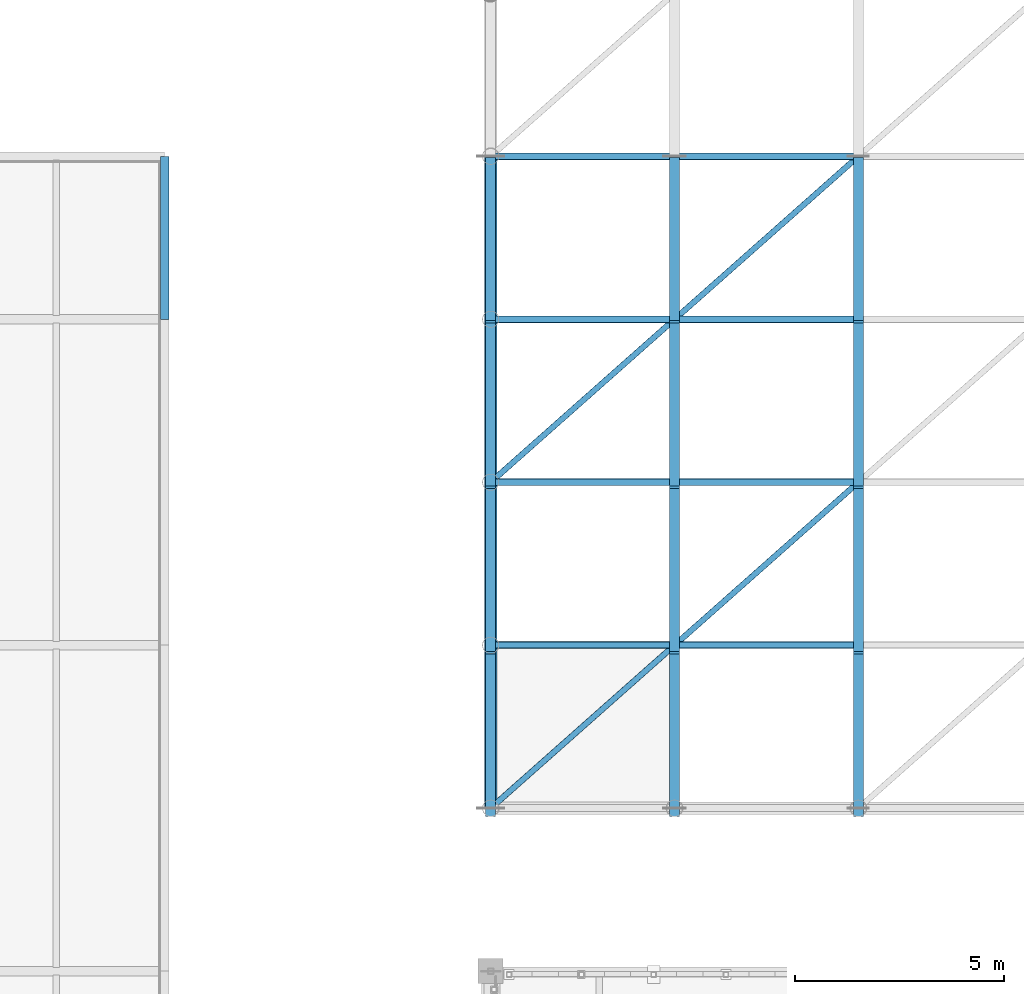
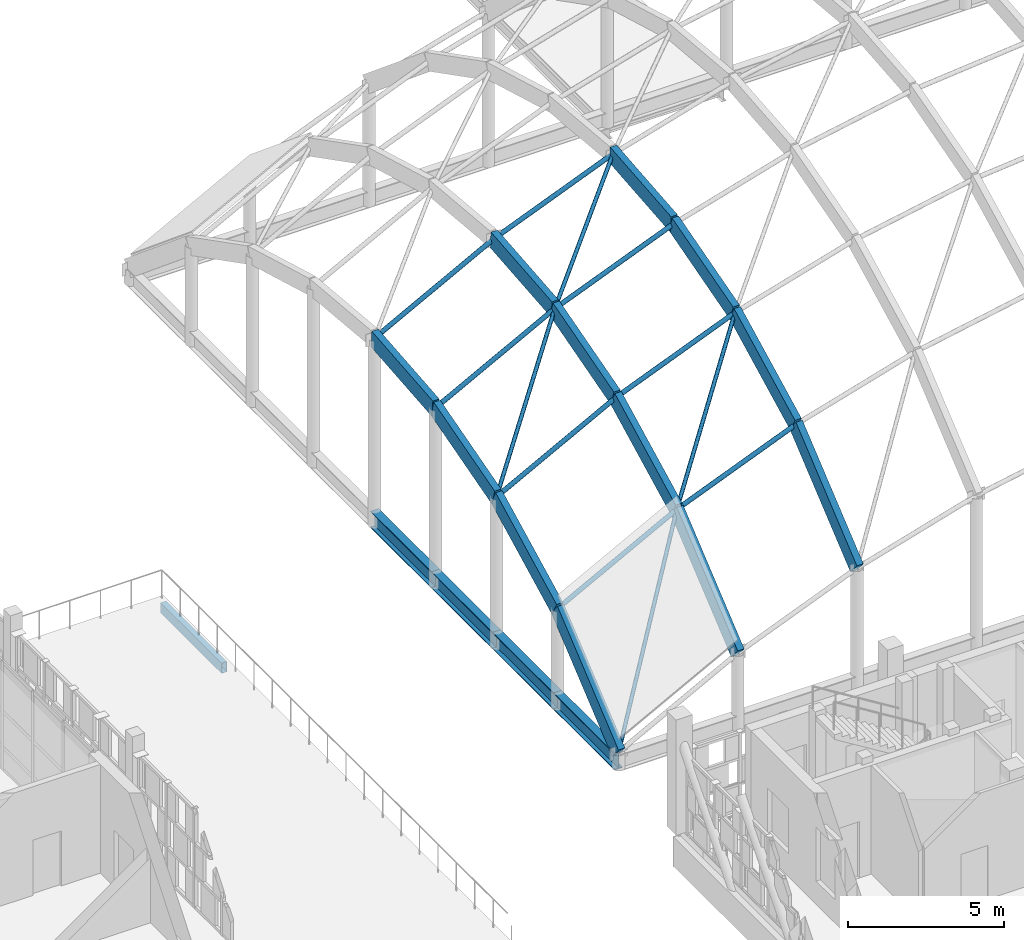
# One storey, part 34 of 119: 24 members, 5 beams.
"""IFC4 building model written with IfcOpenShell, lengths in metres."""

import ifcopenshell
import ifcopenshell.guid

model = None  # the IFC model being written
_history = None  # IfcOwnerHistory: only IFC2X3 demands one
_inside = {}  # id of a spatial element -> (the spatial element, [elements in it])
_under = {}  # id of a project, library or spatial element -> (it, [spatial elements below it])
_declared = {}  # id of a project -> (the project, [libraries it declares])
_typed = {}  # id of a type object -> (the type object, [elements of that type])
_made_of = {}  # id of a material, layer set ... -> (it, [elements and type objects made of it])


def new_model(schema):
    """Start an empty IFC model of exactly this schema.

    Asked for "IFC4X3", IfcOpenShell would pick the latest addendum, in which some entities
    have other attributes; the version numbers below select the first issue.
    IFC2X3 requires an IfcOwnerHistory on every rooted entity: one is made here for all.
    """
    global model, _history
    if schema == "IFC4X3":
        model = ifcopenshell.file(schema_version=(4, 3, 0, 0))
    else:
        model = ifcopenshell.file(schema=schema)
    _inside.clear()
    _under.clear()
    _declared.clear()
    _typed.clear()
    _made_of.clear()
    _history = None
    if model.schema == "IFC2X3":
        org = make("IfcOrganization", Name="unknown")
        user = make(
            "IfcPersonAndOrganization",
            ThePerson=make("IfcPerson", FamilyName="unknown"),
            TheOrganization=org,
        )
        app = make(
            "IfcApplication",
            ApplicationDeveloper=org,
            Version="unknown",
            ApplicationFullName="unknown",
            ApplicationIdentifier="unknown",
        )
        _history = make(
            "IfcOwnerHistory",
            OwningUser=user,
            OwningApplication=app,
            ChangeAction="ADDED",
            CreationDate=0,
        )
    return model


def make(cls, **values):
    """One entity of the class cls with the attributes given. An attribute that is None is left unset."""
    return model.create_entity(
        cls, **{name: value for name, value in values.items() if value is not None}
    )


def rooted(cls, **values):
    """An entity with a GlobalId (a new one), such as an element, a storey or a relation."""
    return make(cls, GlobalId=ifcopenshell.guid.new(), OwnerHistory=_history, **values)


def si_unit(unit_type, name, prefix=None):
    """IfcSIUnit, for example si_unit("LENGTHUNIT", "METRE", prefix="MILLI")."""
    return make("IfcSIUnit", UnitType=unit_type, Prefix=prefix, Name=name)


def assignment(units):
    """IfcUnitAssignment: the units of a project."""
    return None if units is None else make("IfcUnitAssignment", Units=units)


def point(xyz):
    """IfcCartesianPoint."""
    return None if xyz is None else make("IfcCartesianPoint", Coordinates=xyz)


def direction(xyz):
    """IfcDirection."""
    return None if xyz is None else make("IfcDirection", DirectionRatios=xyz)


def frame(location, z_axis=None, x_axis=None):
    """IfcAxis2Placement3D, a coordinate frame: its origin and axes. An axis left out is left unset."""
    return make(
        "IfcAxis2Placement3D",
        Location=point(location),
        Axis=direction(z_axis),
        RefDirection=direction(x_axis),
    )


def frame_2d(location, x_axis=None):
    """IfcAxis2Placement2D, a coordinate frame in the plane: its origin and x axis."""
    return make(
        "IfcAxis2Placement2D", Location=point(location), RefDirection=direction(x_axis)
    )


def origin():
    """The frame at (0, 0, 0) with its axes left unset."""
    return frame((0.0, 0.0, 0.0))


def origin_2d():
    """The frame at (0, 0) in the plane with its x axis left unset."""
    return frame_2d((0.0, 0.0))


def place(relative_to, where):
    """IfcLocalPlacement: puts the frame where relative to a parent placement (None: the world)."""
    return make(
        "IfcLocalPlacement", PlacementRelTo=relative_to, RelativePlacement=where
    )


def context(
    kind, dimensions, precision=None, world=None, true_north=None, identifier=None
):
    """IfcGeometricRepresentationContext, for example the 3D "Model" context."""
    return make(
        "IfcGeometricRepresentationContext",
        ContextIdentifier=identifier,
        ContextType=kind,
        CoordinateSpaceDimension=dimensions,
        Precision=precision,
        WorldCoordinateSystem=world,
        TrueNorth=true_north,
    )


def subcontext(parent, identifier, kind, view, scale=None):
    """IfcGeometricRepresentationSubContext, for example "Body" below "Model"."""
    return make(
        "IfcGeometricRepresentationSubContext",
        ContextIdentifier=identifier,
        ContextType=kind,
        ParentContext=parent,
        TargetScale=scale,
        TargetView=view,
    )


def project(units=None, contexts=None):
    """IfcProject with its units and contexts."""
    return rooted(
        "IfcProject",
        Name="project",
        RepresentationContexts=contexts,
        UnitsInContext=assignment(units),
    )


def spatial(cls, under=None, at=None, **own):
    """A site, building, storey or space (cls), placed at a placement, below another one or the project."""
    s = rooted(cls, ObjectPlacement=at, **own)
    if under is not None:
        _under.setdefault(under.id(), (under, []))[1].append(s)
    return s


def profile(cls, at=None, kind="AREA", **sizes):
    """A parametric profile (cls). Its sizes go by their IFC names, for example OverallWidth=200.0."""
    return make(cls, ProfileType=kind, Position=at, **sizes)


def rectangle(**sizes):
    """IfcRectangleProfileDef."""
    return profile("IfcRectangleProfileDef", **sizes)


def hollow_rectangle(**sizes):
    """IfcRectangleHollowProfileDef."""
    return profile("IfcRectangleHollowProfileDef", **sizes)


def hollow_circle(**sizes):
    """IfcCircleHollowProfileDef."""
    return profile("IfcCircleHollowProfileDef", **sizes)


def i_section(**sizes):
    """IfcIShapeProfileDef."""
    return profile("IfcIShapeProfileDef", **sizes)


def extrude(swept, where, along, depth):
    """IfcExtrudedAreaSolid: the profile swept, set in the frame where, extruded along a direction by depth."""
    return make(
        "IfcExtrudedAreaSolid",
        SweptArea=swept,
        Position=where,
        ExtrudedDirection=direction(along),
        Depth=depth,
    )


def shape(context_of_items, identifier, shape_type, items):
    """IfcShapeRepresentation: the items that make up one representation, for example the "Body"."""
    return make(
        "IfcShapeRepresentation",
        ContextOfItems=context_of_items,
        RepresentationIdentifier=identifier,
        RepresentationType=shape_type,
        Items=items,
    )


def material(Name=None, Category=None):
    """IfcMaterial."""
    return make("IfcMaterial", Name=Name, Category=Category)


def material_profile(
    of_material, cross_section, Name=None, Category=None, Priority=None
):
    """IfcMaterialProfile: a cross section and its material."""
    return make(
        "IfcMaterialProfile",
        Name=Name,
        Material=of_material,
        Profile=cross_section,
        Priority=Priority,
        Category=Category,
    )


def profile_set(profiles, Name=None, composite=None):
    """IfcMaterialProfileSet."""
    return make(
        "IfcMaterialProfileSet",
        Name=Name,
        MaterialProfiles=profiles,
        CompositeProfile=composite,
    )


def made_of(thing, what):
    """Note that an element or type object is made of a material, layer set ...; save() writes the relation."""
    if what is not None:
        _made_of.setdefault(what.id(), (what, []))[1].append(thing)
    return thing


def type_object(cls, material=None, **own):
    """A type object (cls), such as IfcWallType, which elements share."""
    return made_of(rooted(cls, **own), material)


def element(
    cls,
    number,
    at=None,
    inside=None,
    cuts=None,
    type_object=None,
    material=None,
    context=None,
    identifier="Body",
    shape_type=None,
    held_by="IfcProductDefinitionShape",
    body=None,
    shapes=None,
    **own,
):
    """One element of the class cls, such as IfcWall. Its Tag is "e" and its number.

    at: its placement. inside: the storey or other place that contains it. cuts: it is an
    opening in that element (IfcRelVoidsElement). A single representation is given by context,
    identifier, shape_type and body (its items); several are given by shapes. held_by: the class
    of the entity that holds the representations. save() writes the other relations.
    """
    e = rooted(cls, Tag="e%d" % number, ObjectPlacement=at, **own)
    if body is not None:
        shapes = [shape(context, identifier, shape_type, body)]
    if shapes is not None:
        e.Representation = make(held_by, Representations=shapes)
    if inside is not None:
        _inside.setdefault(inside.id(), (inside, []))[1].append(e)
    if cuts is not None:
        rooted(
            "IfcRelVoidsElement", RelatingBuildingElement=cuts, RelatedOpeningElement=e
        )
    if type_object is not None:
        _typed.setdefault(type_object.id(), (type_object, []))[1].append(e)
    return made_of(e, material)


def aggregate(whole, parts):
    """IfcRelAggregates: a whole, such as a stair, and the parts it consists of."""
    return rooted("IfcRelAggregates", RelatingObject=whole, RelatedObjects=parts)


def save(model, path):
    """Write the relations noted so far, then the file.

    IfcRelAggregates (storeys below a building ...), IfcRelContainedInSpatialStructure (elements
    in a storey), IfcRelDefinesByType, IfcRelAssociatesMaterial and IfcRelDeclares: one each for
    every whole, place, type object, material and project.
    """
    for whole, parts in _under.values():
        aggregate(whole, parts)
    for where, things in _inside.values():
        rooted(
            "IfcRelContainedInSpatialStructure",
            RelatedElements=things,
            RelatingStructure=where,
        )
    for kind, things in _typed.values():
        rooted("IfcRelDefinesByType", RelatedObjects=things, RelatingType=kind)
    for what, things in _made_of.values():
        rooted("IfcRelAssociatesMaterial", RelatedObjects=things, RelatingMaterial=what)
    for by, libraries in _declared.values():
        rooted("IfcRelDeclares", RelatingContext=by, RelatedDefinitions=libraries)
    model.write(path)


model = new_model("IFC4")

# Units and contexts
model_context = context("Model", 3, precision=1e-05, world=origin(), true_north=direction((0.0, 1.0)))
body_context = subcontext(model_context, "Body", "Model", "MODEL_VIEW")
ifc_project = project(units=[si_unit("LENGTHUNIT", "METRE"), si_unit("AREAUNIT", "SQUARE_METRE"), si_unit("VOLUMEUNIT", "CUBIC_METRE"), si_unit("PLANEANGLEUNIT", "RADIAN"), si_unit("MASSUNIT", "GRAM", prefix="KILO")], contexts=[model_context])

# Site, building, storey
site_placement = place(None, origin())
site = spatial("IfcSite", under=ifc_project, at=site_placement, CompositionType="ELEMENT")
building_placement = place(site_placement, origin())
building = spatial("IfcBuilding", under=site, at=building_placement, Name="Celorna Specialist Clinic", CompositionType="ELEMENT")
storey_placement = place(building_placement, frame((0.0, 0.0, 9.60009765625)))
storey = spatial("IfcBuildingStorey", under=building, at=storey_placement, Name="L02", CompositionType="ELEMENT", Elevation=9.60009765625)

# Beams
ifc_material_1 = material(Name="Steel S355", Category="steel")
ifc_material_profile_1 = material_profile(ifc_material_1, i_section(OverallWidth=0.300048828125, OverallDepth=0.64990234375, WebThickness=0.01611328125, FlangeThickness=0.031005859375, at=origin_2d()), Name="HE 650 B")
ifc_profile_set_1 = profile_set([ifc_material_profile_1], Name="Steel S355")
beam_type_1 = type_object("IfcBeamType", Name="BM-03", PredefinedType="BEAM", material=ifc_profile_set_1)
beam_1_placement = place(storey_placement, frame((54.60009765625, 46.800048828125, 0.27490234375), z_axis=(0.0, 1.0, 0.0), x_axis=(-1.0, 0.0, 0.0)))
element("IfcBeam", 1, at=beam_1_placement, inside=storey, type_object=beam_type_1, Name="GSH-V1 gridshell perimeter edge ring beam", PredefinedType="BEAM", context=body_context, shape_type="SweptSolid", body=[
    extrude(i_section(OverallWidth=0.300048828125, OverallDepth=0.64990234375, WebThickness=0.01611328125, FlangeThickness=0.031005859375, at=origin_2d()), origin(), (0.0, 0.0, 1.0), 3.89990234375),
])
beam_2_placement = place(storey_placement, frame((54.60009765625, 50.699951171875, 0.27490234375), z_axis=(0.0, 1.0, 0.0), x_axis=(-1.0, 0.0, 0.0)))
element("IfcBeam", 2, at=beam_2_placement, inside=storey, type_object=beam_type_1, Name="GSH-V1 gridshell perimeter edge ring beam", PredefinedType="BEAM", context=body_context, shape_type="SweptSolid", body=[
    extrude(i_section(OverallWidth=0.300048828125, OverallDepth=0.64990234375, WebThickness=0.01611328125, FlangeThickness=0.031005859375, at=origin_2d()), origin(), (0.0, 0.0, 1.0), 3.900146484375),
])
for number, where, z_axis, x_axis, name in (
    (3, (54.60009765625, 54.60009765625, 0.27490234375), (0.0, 1.0, 0.0), (-1.0, 0.0, 0.0), "GSH-V1 gridshell perimeter edge ring beam"),
    (4, (54.60009765625, 58.5, 0.27490234375), (0.0, 1.0, 0.0), (-1.0, 0.0, 0.0), "GSH-V1 gridshell perimeter edge ring beam"),
):
    element("IfcBeam", number, at=place(storey_placement, frame(where, z_axis=z_axis, x_axis=x_axis)), inside=storey, type_object=beam_type_1, Name=name, PredefinedType="BEAM", context=body_context, shape_type="SweptSolid", body=[
        extrude(i_section(OverallWidth=0.300048828125, OverallDepth=0.64990234375, WebThickness=0.01611328125, FlangeThickness=0.031005859375, at=origin_2d()), origin(), (0.0, 0.0, 1.0), 3.89990234375),
    ])
ifc_material_profile_2 = material_profile(ifc_material_1, hollow_rectangle(XDim=0.199951171875, YDim=0.39990234375, WallThickness=0.011962890625, at=origin_2d()), Name="RHS 200x400x12")
ifc_profile_set_2 = profile_set([ifc_material_profile_2], Name="Steel S355")
beam_type_2 = type_object("IfcBeamType", Name="BM-15", PredefinedType="SPANDREL", material=ifc_profile_set_2)
beam_3_placement = place(storey_placement, frame((46.800048828125, 58.5, -0.460205078125), z_axis=(0.0, 1.0, 0.0), x_axis=(-1.0, 0.0, 0.0)))
element("IfcBeam", 5, at=beam_3_placement, inside=storey, type_object=beam_type_2, Name="Spandrel beam BM-15 #2225", PredefinedType="SPANDREL", context=body_context, shape_type="SweptSolid", body=[
    extrude(hollow_rectangle(XDim=0.199951171875, YDim=0.39990234375, WallThickness=0.011962890625, at=origin_2d()), origin(), (0.0, 0.0, 1.0), 3.89990234375),
])

# Members
ifc_material_2 = material(Name="Glulam GL28h", Category="wood")
ifc_material_profile_3 = material_profile(ifc_material_2, rectangle(XDim=0.239990234375, YDim=0.639892578125, at=origin_2d()), Name="GL28h 240x640")
ifc_profile_set_3 = profile_set([ifc_material_profile_3], Name="Glulam GL28h")
member_type_1 = type_object("IfcMemberType", Name="MB-01", PredefinedType="RAFTER", material=ifc_profile_set_3)
member_1_placement = place(storey_placement, frame((54.60009765625, 46.800048828125, 0.599853515625), z_axis=(0.0, 0.768899464608, 0.639369700037), x_axis=(-1.0, 0.0, 0.0)))
element("IfcMember", 6, at=member_1_placement, inside=storey, type_object=member_type_1, Name="GSH-V1 glulam gridshell arch rib WP-125-WP-149", PredefinedType="RAFTER", context=body_context, shape_type="SweptSolid", body=[
    extrude(rectangle(XDim=0.239990234375, YDim=0.639892578125, at=origin_2d()), origin(), (0.0, 0.0, 1.0), 5.072021484375),
])
member_2_placement = place(storey_placement, frame((54.60009765625, 50.699951171875, 3.8427734375), z_axis=(0.0, 0.89007313801, 0.455817736592), x_axis=(-1.0, 0.0, 0.0)))
element("IfcMember", 7, at=member_2_placement, inside=storey, type_object=member_type_1, Name="GSH-V1 glulam gridshell arch rib WP-149-WP-150", PredefinedType="RAFTER", context=body_context, shape_type="SweptSolid", body=[
    extrude(rectangle(XDim=0.239990234375, YDim=0.639892578125, at=origin_2d()), origin(), (0.0, 0.0, 1.0), 4.3818359375),
])
member_3_placement = place(storey_placement, frame((54.60009765625, 54.60009765625, 5.840087890625), z_axis=(0.0, 0.961920605612, 0.273329011448), x_axis=(-1.0, 0.0, 0.0)))
element("IfcMember", 8, at=member_3_placement, inside=storey, type_object=member_type_1, Name="GSH-V1 glulam gridshell arch rib WP-150-WP-151", PredefinedType="RAFTER", context=body_context, shape_type="SweptSolid", body=[
    extrude(rectangle(XDim=0.239990234375, YDim=0.639892578125, at=origin_2d()), origin(), (0.0, 0.0, 1.0), 4.05419921875),
])
member_4_placement = place(storey_placement, frame((54.60009765625, 58.5, 6.9482421875), z_axis=(0.0, 0.995843490594, 0.091080965304), x_axis=(-1.0, 0.0, 0.0)))
element("IfcMember", 9, at=member_4_placement, inside=storey, type_object=member_type_1, Name="GSH-V1 glulam gridshell arch rib WP-151-WP-152", PredefinedType="RAFTER", context=body_context, shape_type="SweptSolid", body=[
    extrude(rectangle(XDim=0.239990234375, YDim=0.639892578125, at=origin_2d()), origin(), (0.0, 0.0, 1.0), 3.916259765625),
])
member_5_placement = place(storey_placement, frame((59.0, 46.800048828125, 2.929443359375), z_axis=(0.0, 0.768923128228, 0.639341241338), x_axis=(-1.0, 0.0, 0.0)))
element("IfcMember", 10, at=member_5_placement, inside=storey, type_object=member_type_1, Name="GSH-V1 glulam gridshell arch rib WP-126-WP-156", PredefinedType="RAFTER", context=body_context, shape_type="SweptSolid", body=[
    extrude(rectangle(XDim=0.239990234375, YDim=0.639892578125, at=origin_2d()), origin(), (0.0, 0.0, 1.0), 5.072021484375),
])
member_6_placement = place(storey_placement, frame((59.0, 50.699951171875, 6.172119140625), z_axis=(0.0, 0.890050532634, 0.455861875306), x_axis=(-1.0, 0.0, 0.0)))
element("IfcMember", 11, at=member_6_placement, inside=storey, type_object=member_type_1, Name="GSH-V1 glulam gridshell arch rib WP-156-WP-157", PredefinedType="RAFTER", context=body_context, shape_type="SweptSolid", body=[
    extrude(rectangle(XDim=0.239990234375, YDim=0.639892578125, at=origin_2d()), origin(), (0.0, 0.0, 1.0), 4.3818359375),
])
member_7_placement = place(storey_placement, frame((59.0, 54.60009765625, 8.169677734375), z_axis=(0.0, 0.961936436795, 0.273273290984), x_axis=(-1.0, 0.0, 0.0)))
element("IfcMember", 12, at=member_7_placement, inside=storey, type_object=member_type_1, Name="GSH-V1 glulam gridshell arch rib WP-157-WP-158", PredefinedType="RAFTER", context=body_context, shape_type="SweptSolid", body=[
    extrude(rectangle(XDim=0.239990234375, YDim=0.639892578125, at=origin_2d()), origin(), (0.0, 0.0, 1.0), 4.05419921875),
])
member_8_placement = place(storey_placement, frame((59.0, 58.5, 9.277587890625), z_axis=(0.0, 0.995837834183, 0.091142789131), x_axis=(-1.0, 0.0, 0.0)))
element("IfcMember", 13, at=member_8_placement, inside=storey, type_object=member_type_1, Name="GSH-V1 glulam gridshell arch rib WP-158-WP-159", PredefinedType="RAFTER", context=body_context, shape_type="SweptSolid", body=[
    extrude(rectangle(XDim=0.239990234375, YDim=0.639892578125, at=origin_2d()), origin(), (0.0, 0.0, 1.0), 3.916259765625),
])
member_9_placement = place(storey_placement, frame((63.39990234375, 46.800048828125, 4.705322265625), z_axis=(0.0, 0.768923128228, 0.639341241338), x_axis=(-1.0, 0.0, 0.0)))
element("IfcMember", 14, at=member_9_placement, inside=storey, type_object=member_type_1, Name="GSH-V1 glulam gridshell arch rib WP-127-WP-163", PredefinedType="RAFTER", context=body_context, shape_type="SweptSolid", body=[
    extrude(rectangle(XDim=0.239990234375, YDim=0.639892578125, at=origin_2d()), origin(), (0.0, 0.0, 1.0), 5.072021484375),
])
member_10_placement = place(storey_placement, frame((63.39990234375, 50.699951171875, 7.947998046875), z_axis=(0.0, 0.890050532634, 0.455861875306), x_axis=(-1.0, 0.0, 0.0)))
element("IfcMember", 15, at=member_10_placement, inside=storey, type_object=member_type_1, Name="GSH-V1 glulam gridshell arch rib WP-163-WP-164", PredefinedType="RAFTER", context=body_context, shape_type="SweptSolid", body=[
    extrude(rectangle(XDim=0.239990234375, YDim=0.639892578125, at=origin_2d()), origin(), (0.0, 0.0, 1.0), 4.3818359375),
])
member_11_placement = place(storey_placement, frame((63.39990234375, 54.60009765625, 9.945556640625), z_axis=(0.0, 0.961920605612, 0.273329011448), x_axis=(-1.0, 0.0, 0.0)))
element("IfcMember", 16, at=member_11_placement, inside=storey, type_object=member_type_1, Name="GSH-V1 glulam gridshell arch rib WP-164-WP-165", PredefinedType="RAFTER", context=body_context, shape_type="SweptSolid", body=[
    extrude(rectangle(XDim=0.239990234375, YDim=0.639892578125, at=origin_2d()), origin(), (0.0, 0.0, 1.0), 4.05419921875),
])
member_12_placement = place(storey_placement, frame((63.39990234375, 58.5, 11.0537109375), z_axis=(0.0, 0.995843490594, 0.091080965304), x_axis=(-1.0, 0.0, 0.0)))
element("IfcMember", 17, at=member_12_placement, inside=storey, type_object=member_type_1, Name="GSH-V1 glulam gridshell arch rib WP-165-WP-166", PredefinedType="RAFTER", context=body_context, shape_type="SweptSolid", body=[
    extrude(rectangle(XDim=0.239990234375, YDim=0.639892578125, at=origin_2d()), origin(), (0.0, 0.0, 1.0), 3.916259765625),
])
ifc_material_profile_4 = material_profile(ifc_material_1, hollow_circle(Radius=0.084228515625, WallThickness=0.010009765625, at=origin_2d()), Name="CHS 168.3x10")
ifc_profile_set_4 = profile_set([ifc_material_profile_4], Name="Steel S355")
member_type_2 = type_object("IfcMemberType", Name="MB-03", PredefinedType="PURLIN", material=ifc_profile_set_4)
member_13_placement = place(storey_placement, frame((54.60009765625, 50.699951171875, 3.8427734375), z_axis=(0.883789109196, 0.0, 0.467885467253), x_axis=(0.0, 1.0, 0.0)))
element("IfcMember", 18, at=member_13_placement, inside=storey, type_object=member_type_2, Name="GSH-V1 gridshell steel purlin WP-149-WP-156", PredefinedType="PURLIN", context=body_context, shape_type="SweptSolid", body=[
    extrude(hollow_circle(Radius=0.084228515625, WallThickness=0.010009765625, at=origin_2d()), origin(), (0.0, 0.0, 1.0), 4.978515625),
])
member_14_placement = place(storey_placement, frame((59.0, 50.699951171875, 6.172119140625), z_axis=(0.927315344547, 0.0, 0.374280979704), x_axis=(0.0, 1.0, 0.0)))
element("IfcMember", 19, at=member_14_placement, inside=storey, type_object=member_type_2, Name="GSH-V1 gridshell steel purlin WP-156-WP-163", PredefinedType="PURLIN", context=body_context, shape_type="SweptSolid", body=[
    extrude(hollow_circle(Radius=0.084228515625, WallThickness=0.010009765625, at=origin_2d()), origin(), (0.0, 0.0, 1.0), 4.744873046875),
])
member_15_placement = place(storey_placement, frame((54.60009765625, 54.60009765625, 5.840087890625), z_axis=(0.883768830423, 0.0, 0.467923769831), x_axis=(0.0, 1.0, 0.0)))
element("IfcMember", 20, at=member_15_placement, inside=storey, type_object=member_type_2, Name="GSH-V1 gridshell steel purlin WP-150-WP-157", PredefinedType="PURLIN", context=body_context, shape_type="SweptSolid", body=[
    extrude(hollow_circle(Radius=0.084228515625, WallThickness=0.010009765625, at=origin_2d()), origin(), (0.0, 0.0, 1.0), 4.978515625),
])
member_16_placement = place(storey_placement, frame((59.0, 54.60009765625, 8.169677734375), z_axis=(0.927315344547, 0.0, 0.374280979704), x_axis=(0.0, 1.0, 0.0)))
element("IfcMember", 21, at=member_16_placement, inside=storey, type_object=member_type_2, Name="GSH-V1 gridshell steel purlin WP-157-WP-164", PredefinedType="PURLIN", context=body_context, shape_type="SweptSolid", body=[
    extrude(hollow_circle(Radius=0.084228515625, WallThickness=0.010009765625, at=origin_2d()), origin(), (0.0, 0.0, 1.0), 4.744873046875),
])
member_17_placement = place(storey_placement, frame((54.60009765625, 58.5, 6.9482421875), z_axis=(0.883789109196, 0.0, 0.467885467253), x_axis=(0.0, 1.0, 0.0)))
element("IfcMember", 22, at=member_17_placement, inside=storey, type_object=member_type_2, Name="GSH-V1 gridshell steel purlin WP-151-WP-158", PredefinedType="PURLIN", context=body_context, shape_type="SweptSolid", body=[
    extrude(hollow_circle(Radius=0.084228515625, WallThickness=0.010009765625, at=origin_2d()), origin(), (0.0, 0.0, 1.0), 4.978515625),
])
member_18_placement = place(storey_placement, frame((59.0, 58.5, 9.277587890625), z_axis=(0.927297485142, 0.0, 0.37432522497), x_axis=(0.0, 1.0, 0.0)))
element("IfcMember", 23, at=member_18_placement, inside=storey, type_object=member_type_2, Name="GSH-V1 gridshell steel purlin WP-158-WP-165", PredefinedType="PURLIN", context=body_context, shape_type="SweptSolid", body=[
    extrude(hollow_circle(Radius=0.084228515625, WallThickness=0.010009765625, at=origin_2d()), origin(), (0.0, 0.0, 1.0), 4.744873046875),
])
member_19_placement = place(storey_placement, frame((54.60009765625, 62.39990234375, 7.304931640625), z_axis=(0.883768830423, 0.0, 0.467923769831), x_axis=(0.0, 1.0, 0.0)))
element("IfcMember", 24, at=member_19_placement, inside=storey, type_object=member_type_2, Name="GSH-V1 gridshell steel purlin WP-152-WP-159", PredefinedType="PURLIN", context=body_context, shape_type="SweptSolid", body=[
    extrude(hollow_circle(Radius=0.084228515625, WallThickness=0.010009765625, at=origin_2d()), origin(), (0.0, 0.0, 1.0), 4.978515625),
])
member_20_placement = place(storey_placement, frame((59.0, 62.39990234375, 9.634521484375), z_axis=(0.927315344547, 0.0, 0.374280979704), x_axis=(0.0, 1.0, 0.0)))
element("IfcMember", 25, at=member_20_placement, inside=storey, type_object=member_type_2, Name="GSH-V1 gridshell steel purlin WP-159-WP-166", PredefinedType="PURLIN", context=body_context, shape_type="SweptSolid", body=[
    extrude(hollow_circle(Radius=0.084228515625, WallThickness=0.010009765625, at=origin_2d()), origin(), (0.0, 0.0, 1.0), 4.744873046875),
])
ifc_material_profile_5 = material_profile(ifc_material_1, hollow_circle(Radius=0.06982421875, WallThickness=0.008056640625, at=origin_2d()), Name="CHS 139.7x8")
ifc_profile_set_5 = profile_set([ifc_material_profile_5], Name="Steel S355")
member_type_3 = type_object("IfcMemberType", Name="MB-08", PredefinedType="BRACE", material=ifc_profile_set_5)
member_21_placement = place(storey_placement, frame((54.60009765625, 46.800048828125, 0.599853515625), z_axis=(0.543162541374, 0.481438155361, 0.687889348814), x_axis=(-0.663306457294, 0.748347876133, 0.0)))
element("IfcMember", 26, at=member_21_placement, inside=storey, type_object=member_type_3, Name="GSH-V1 gridshell shell brace WP-125-WP-156", PredefinedType="BRACE", context=body_context, shape_type="SweptSolid", body=[
    extrude(hollow_circle(Radius=0.06982421875, WallThickness=0.008056640625, at=origin_2d()), origin(), (0.0, 0.0, 1.0), 8.1005859375),
])
member_22_placement = place(storey_placement, frame((54.60009765625, 54.60009765625, 5.840087890625), z_axis=(0.646033832809, 0.572619267855, 0.504725134055), x_axis=(-0.663306457294, 0.748347876133, 0.0)))
element("IfcMember", 27, at=member_22_placement, inside=storey, type_object=member_type_3, Name="GSH-V1 gridshell shell brace WP-150-WP-158", PredefinedType="BRACE", context=body_context, shape_type="SweptSolid", body=[
    extrude(hollow_circle(Radius=0.06982421875, WallThickness=0.008056640625, at=origin_2d()), origin(), (0.0, 0.0, 1.0), 6.810546875),
])
member_23_placement = place(storey_placement, frame((59.0, 50.699951171875, 6.172119140625), z_axis=(0.629785382245, 0.558252218475, 0.540115573631), x_axis=(-0.663329710865, 0.748327264426, 0.0)))
element("IfcMember", 28, at=member_23_placement, inside=storey, type_object=member_type_3, Name="GSH-V1 gridshell shell brace WP-156-WP-164", PredefinedType="BRACE", context=body_context, shape_type="SweptSolid", body=[
    extrude(hollow_circle(Radius=0.06982421875, WallThickness=0.008056640625, at=origin_2d()), origin(), (0.0, 0.0, 1.0), 6.986328125),
])
member_24_placement = place(storey_placement, frame((59.0, 58.5, 9.277587890625), z_axis=(0.703491378131, 0.623547401746, 0.341011024268), x_axis=(-0.663306457294, 0.748347876133, 0.0)))
element("IfcMember", 29, at=member_24_placement, inside=storey, type_object=member_type_3, Name="GSH-V1 gridshell shell brace WP-158-WP-166", PredefinedType="BRACE", context=body_context, shape_type="SweptSolid", body=[
    extrude(hollow_circle(Radius=0.06982421875, WallThickness=0.008056640625, at=origin_2d()), origin(), (0.0, 0.0, 1.0), 6.25439453125),
])

save(model, "model.ifc")
